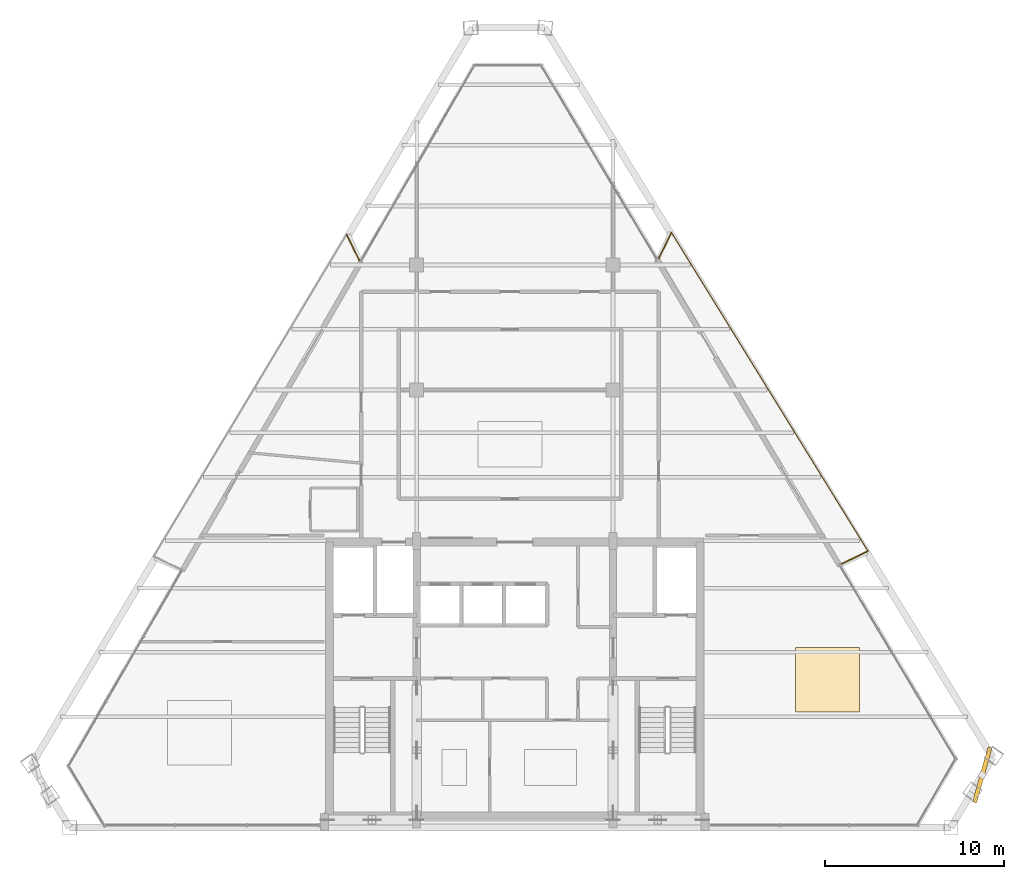
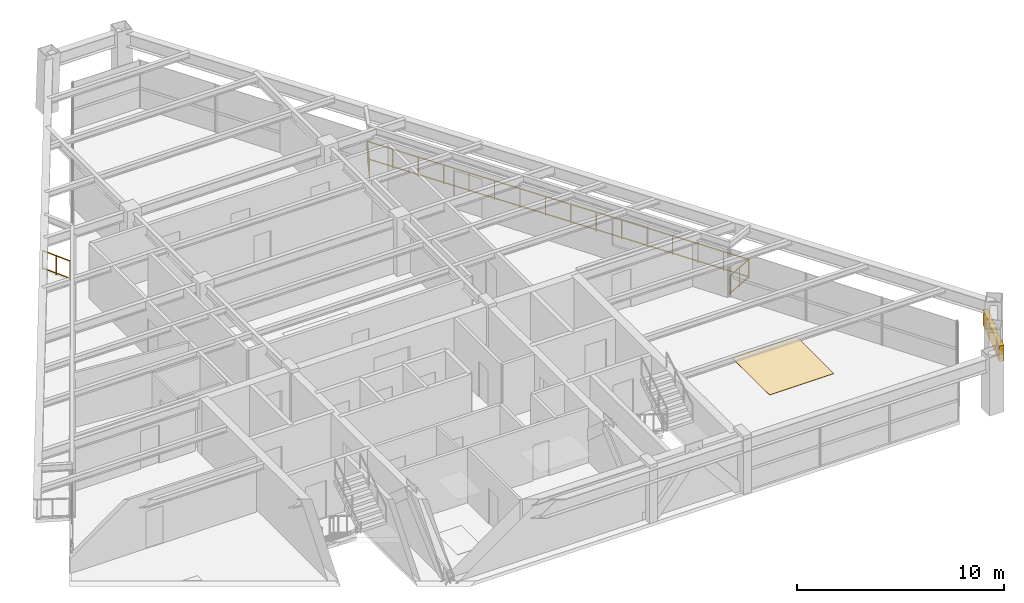
# One storey, part 13 of 13: 4 railings, 1 covering, 1 shading device.
"""IFC4 building model written with IfcOpenShell, lengths in metres."""

from ifc_helpers import new_model, si_unit, direction, frame, origin, origin_2d, place, context, subcontext, project, spatial, rectangle, extrude, source, transform, mapped, material, layer, layer_set, type_object, type_shapes, element, save


model = new_model("IFC4")

# Units and contexts
model_context = context("Model", 3, precision=1e-05, world=origin(), true_north=direction((0.0, 1.0)))
body_context = subcontext(model_context, "Body", "Model", "MODEL_VIEW")
ifc_project = project(units=[si_unit("LENGTHUNIT", "METRE"), si_unit("AREAUNIT", "SQUARE_METRE"), si_unit("VOLUMEUNIT", "CUBIC_METRE"), si_unit("PLANEANGLEUNIT", "RADIAN"), si_unit("MASSUNIT", "GRAM", prefix="KILO")], contexts=[model_context])

# Site, building, storey
site_placement = place(None, origin())
site = spatial("IfcSite", under=ifc_project, at=site_placement, CompositionType="ELEMENT")
building_placement = place(site_placement, origin())
building = spatial("IfcBuilding", under=site, at=building_placement, Name="Varnakhor Terracotta Tower", CompositionType="ELEMENT")
storey_placement = place(building_placement, frame((0.0, 0.0, 269.550048828125)))
storey = spatial("IfcBuildingStorey", under=building, at=storey_placement, Name="L70", CompositionType="ELEMENT", Elevation=269.550048828125)

# Railings
ifc_material_1 = material(Name="Stainless Steel & Laminated Glass Guardrail", Category="steel")
railing_type = type_object("IfcRailingType", Name="RLG-LOGGIA-GUARD-1150", PredefinedType="GUARDRAIL", material=ifc_material_1)
railing_1_placement = place(storey_placement, frame((8.0625, 31.87841796875, 0.0)))
element("IfcRailing", 1, at=railing_1_placement, inside=storey, type_object=railing_type, Name="L70 E Loggia Glass Guard 1", PredefinedType="GUARDRAIL", context=body_context, shape_type="SweptSolid", body=[
    extrude(rectangle(XDim=0.048095703125, YDim=0.048095703125, at=origin_2d()), frame((0.0, 0.0, 1.1259765625), z_axis=(0.441523264252, 0.897249801964, 0.0), x_axis=(-0.897249801964, 0.441523264252, 0.0)), (0.0, 0.0, 1.0), 1.5986328125),
    extrude(rectangle(XDim=0.048095703125, YDim=0.048095703125, at=origin_2d()), frame((0.0, 0.0, 0.10009765625), z_axis=(0.441523264252, 0.897249801964, 0.0), x_axis=(-0.897249801964, 0.441523264252, 0.0)), (0.0, 0.0, 1.0), 1.5986328125),
    extrude(rectangle(XDim=0.0419921875, YDim=0.0419921875, at=origin_2d()), origin(), (0.0, 0.0, 1.0), 1.101806640625),
    extrude(rectangle(XDim=0.0419921875, YDim=0.0419921875, at=origin_2d()), frame((0.35302734375, 0.71728515625, 0.0)), (0.0, 0.0, 1.0), 1.101806640625),
    extrude(rectangle(XDim=0.0419921875, YDim=0.0419921875, at=origin_2d()), frame((0.705810546875, 1.434326171875, 0.0)), (0.0, 0.0, 1.0), 1.101806640625),
])
railing_2_placement = place(storey_placement, frame((8.768310546875, 33.312744140625, 0.0)))
element("IfcRailing", 2, at=railing_2_placement, inside=storey, type_object=railing_type, Name="L70 E Loggia Glass Guard 2", PredefinedType="GUARDRAIL", context=body_context, shape_type="SweptSolid", body=[
    extrude(rectangle(XDim=0.048095703125, YDim=0.048095703125, at=origin_2d()), frame((0.0, 0.0, 1.1259765625), z_axis=(0.524878851541, -0.851176944709, 0.0), x_axis=(0.851176944709, 0.524878851541, 0.0)), (0.0, 0.0, 1.0), 20.947021484375),
    extrude(rectangle(XDim=0.048095703125, YDim=0.048095703125, at=origin_2d()), frame((0.0, 0.0, 0.10009765625), z_axis=(0.524878851541, -0.851176944709, 0.0), x_axis=(0.851176944709, 0.524878851541, 0.0)), (0.0, 0.0, 1.0), 20.947021484375),
    extrude(rectangle(XDim=0.0419921875, YDim=0.0419921875, at=origin_2d()), origin(), (0.0, 0.0, 1.0), 1.101806640625),
    extrude(rectangle(XDim=0.0419921875, YDim=0.0419921875, at=origin_2d()), frame((0.73291015625, -1.188720703125, 0.0)), (0.0, 0.0, 1.0), 1.101806640625),
    extrude(rectangle(XDim=0.0419921875, YDim=0.0419921875, at=origin_2d()), frame((1.466064453125, -2.377197265625, 0.0)), (0.0, 0.0, 1.0), 1.101806640625),
    extrude(rectangle(XDim=0.0419921875, YDim=0.0419921875, at=origin_2d()), frame((2.198974609375, -3.56591796875, 0.0)), (0.0, 0.0, 1.0), 1.101806640625),
    extrude(rectangle(XDim=0.0419921875, YDim=0.0419921875, at=origin_2d()), frame((2.931884765625, -4.754638671875, 0.0)), (0.0, 0.0, 1.0), 1.101806640625),
    extrude(rectangle(XDim=0.0419921875, YDim=0.0419921875, at=origin_2d()), frame((3.664794921875, -5.943115234375, 0.0)), (0.0, 0.0, 1.0), 1.101806640625),
    extrude(rectangle(XDim=0.0419921875, YDim=0.0419921875, at=origin_2d()), frame((4.39794921875, -7.1318359375, 0.0)), (0.0, 0.0, 1.0), 1.101806640625),
    extrude(rectangle(XDim=0.0419921875, YDim=0.0419921875, at=origin_2d()), frame((5.130859375, -8.320556640625, 0.0)), (0.0, 0.0, 1.0), 1.101806640625),
    extrude(rectangle(XDim=0.0419921875, YDim=0.0419921875, at=origin_2d()), frame((5.86376953125, -9.509033203125, 0.0)), (0.0, 0.0, 1.0), 1.101806640625),
    extrude(rectangle(XDim=0.0419921875, YDim=0.0419921875, at=origin_2d()), frame((6.5966796875, -10.69775390625, 0.0)), (0.0, 0.0, 1.0), 1.101806640625),
    extrude(rectangle(XDim=0.0419921875, YDim=0.0419921875, at=origin_2d()), frame((7.329833984375, -11.886474609375, 0.0)), (0.0, 0.0, 1.0), 1.101806640625),
    extrude(rectangle(XDim=0.0419921875, YDim=0.0419921875, at=origin_2d()), frame((8.062744140625, -13.074951171875, 0.0)), (0.0, 0.0, 1.0), 1.101806640625),
    extrude(rectangle(XDim=0.0419921875, YDim=0.0419921875, at=origin_2d()), frame((8.795654296875, -14.263671875, 0.0)), (0.0, 0.0, 1.0), 1.101806640625),
    extrude(rectangle(XDim=0.0419921875, YDim=0.0419921875, at=origin_2d()), frame((9.528564453125, -15.452392578125, 0.0)), (0.0, 0.0, 1.0), 1.101806640625),
    extrude(rectangle(XDim=0.0419921875, YDim=0.0419921875, at=origin_2d()), frame((10.26171875, -16.640869140625, 0.0)), (0.0, 0.0, 1.0), 1.101806640625),
    extrude(rectangle(XDim=0.0419921875, YDim=0.0419921875, at=origin_2d()), frame((10.99462890625, -17.82958984375, 0.0)), (0.0, 0.0, 1.0), 1.101806640625),
])
railing_3_placement = place(storey_placement, frame((19.762939453125, 15.483154296875, 0.0)))
element("IfcRailing", 3, at=railing_3_placement, inside=storey, type_object=railing_type, Name="L70 E Loggia Glass Guard 3", PredefinedType="GUARDRAIL", context=body_context, shape_type="SweptSolid", body=[
    extrude(rectangle(XDim=0.048095703125, YDim=0.048095703125, at=origin_2d()), frame((0.0, 0.0, 1.1259765625), z_axis=(-0.89287002703, -0.450314462162, 0.0), x_axis=(0.450314462162, -0.89287002703, 0.0)), (0.0, 0.0, 1.0), 1.63623046875),
    extrude(rectangle(XDim=0.048095703125, YDim=0.048095703125, at=origin_2d()), frame((0.0, 0.0, 0.10009765625), z_axis=(-0.89287002703, -0.450314462162, 0.0), x_axis=(0.450314462162, -0.89287002703, 0.0)), (0.0, 0.0, 1.0), 1.63623046875),
    extrude(rectangle(XDim=0.0419921875, YDim=0.0419921875, at=origin_2d()), origin(), (0.0, 0.0, 1.0), 1.101806640625),
    extrude(rectangle(XDim=0.0419921875, YDim=0.0419921875, at=origin_2d()), frame((-0.73046875, -0.368408203125, 0.0)), (0.0, 0.0, 1.0), 1.101806640625),
    extrude(rectangle(XDim=0.0419921875, YDim=0.0419921875, at=origin_2d()), frame((-1.4609375, -0.73681640625, 0.0)), (0.0, 0.0, 1.0), 1.101806640625),
])
railing_4_placement = place(storey_placement, frame((-9.427490234375, 33.194580078125, 0.0)))
element("IfcRailing", 4, at=railing_4_placement, inside=storey, type_object=railing_type, Name="L70 W Loggia Glass Guard 3", PredefinedType="GUARDRAIL", context=body_context, shape_type="SweptSolid", body=[
    extrude(rectangle(XDim=0.048095703125, YDim=0.048095703125, at=origin_2d()), frame((0.0, 0.0, 1.1259765625), z_axis=(0.445376679387, -0.895343293636, 0.0), x_axis=(0.895343293636, 0.445376679387, 0.0)), (0.0, 0.0, 1.0), 1.595703125),
    extrude(rectangle(XDim=0.048095703125, YDim=0.048095703125, at=origin_2d()), frame((0.0, 0.0, 0.10009765625), z_axis=(0.445376679387, -0.895343293636, 0.0), x_axis=(0.895343293636, 0.445376679387, 0.0)), (0.0, 0.0, 1.0), 1.595703125),
    extrude(rectangle(XDim=0.0419921875, YDim=0.0419921875, at=origin_2d()), origin(), (0.0, 0.0, 1.0), 1.101806640625),
    extrude(rectangle(XDim=0.0419921875, YDim=0.0419921875, at=origin_2d()), frame((0.35546875, -0.71435546875, 0.0)), (0.0, 0.0, 1.0), 1.101806640625),
    extrude(rectangle(XDim=0.0419921875, YDim=0.0419921875, at=origin_2d()), frame((0.710693359375, -1.4287109375, 0.0)), (0.0, 0.0, 1.0), 1.101806640625),
])

# Shading device
ifc_material_2 = material(Name="Extruded Architectural Terracotta Screen", Category="masonry")
shading_device_type = type_object("IfcShadingDeviceType", Name="TERRACOTTA SOLAR SCREEN E", PredefinedType="USERDEFINED", material=ifc_material_2)
shared_shape_1 = source(origin(), body_context, "Body", "SweptSolid", [
    extrude(rectangle(XDim=3.199951171875, YDim=0.239990234375, at=origin_2d()), origin(), (0.0, 0.0, 1.0), 0.919921875),
])
type_shapes(shading_device_type, [shared_shape_1])
shading_device_placement = place(storey_placement, frame((26.174072265625, 2.936279296875, 1.56201171875), z_axis=(0.0, 0.0, 1.0), x_axis=(0.273740999461, 0.961803444168, 0.0)))
element("IfcShadingDevice", 5, at=shading_device_placement, inside=storey, type_object=shading_device_type, Name="L70 E Terracotta Solar Screen", ObjectType="SCREEN", PredefinedType="USERDEFINED", context=body_context, shape_type="MappedRepresentation", body=[
    mapped(shared_shape_1, transform((0.0, 0.0, 0.0), scale=1.0)),
])

# Covering
ifc_material_3 = material(Name="Honed Riyadh Limestone Flooring", Category="masonry")
ifc_layer = layer(ifc_material_3, 0.030029296875, Name="Honed Riyadh Limestone Flooring")
ifc_layer_set = layer_set([ifc_layer], Name="Honed Riyadh Limestone Flooring")
covering_type = type_object("IfcCoveringType", Name="COV-FLOOR-LIMESTONE", PredefinedType="FLOORING", material=ifc_layer_set)
shared_shape_2 = source(origin(), body_context, "Body", "SweptSolid", [
    extrude(rectangle(XDim=3.60009765625, YDim=3.60009765625, at=origin_2d()), origin(), (0.0, 0.0, 1.0), 0.02001953125),
])
covering_placement = place(storey_placement, frame((17.5048828125, 8.26611328125, 0.0), z_axis=(0.0, 0.0, 1.0), x_axis=(1.0, 0.0, 0.0)))
element("IfcCovering", 6, at=covering_placement, inside=storey, type_object=covering_type, Name="L70 Honed Stone Flooring 4", PredefinedType="FLOORING", context=body_context, shape_type="MappedRepresentation", body=[
    mapped(shared_shape_2, transform((0.0, 0.0, 0.0), scale=1.0)),
])

save(model, "model.ifc")
